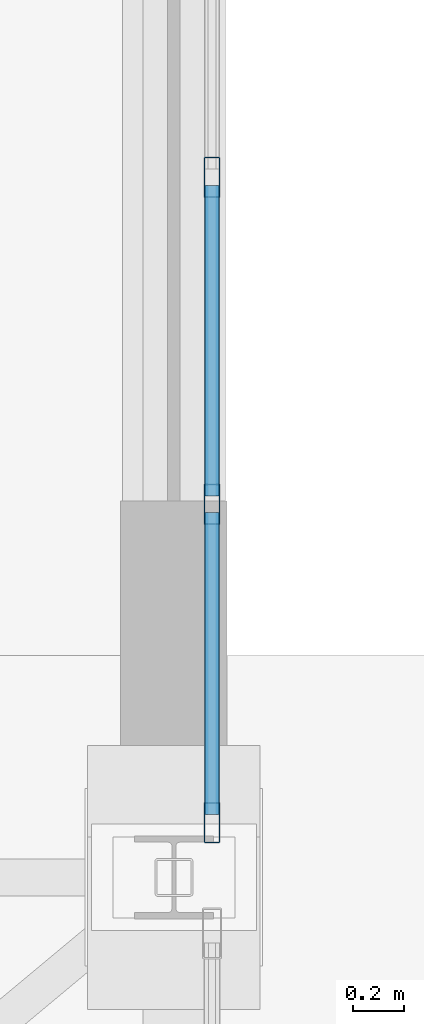
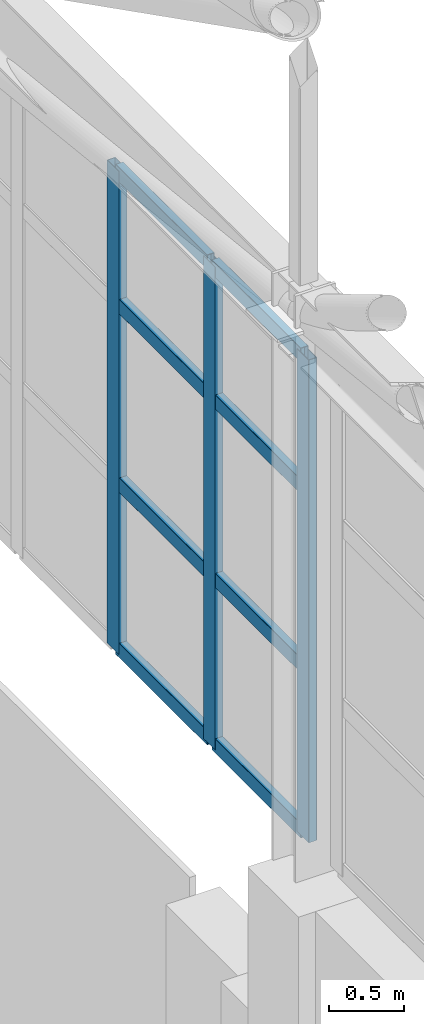
# One storey, part 226 of 293: 11 members, 1 element without a shape of its own.
"""IFC4 building model written with IfcOpenShell, lengths in metres."""

from ifc_helpers import new_model, si_unit, direction, frame, origin, origin_2d, place, context, subcontext, project, spatial, hollow_rectangle, extrude, material, layer, layer_set, material_profile, profile_set, type_object, element, aggregate, save


model = new_model("IFC4")

# Units and contexts
model_context = context("Model", 3, precision=1e-05, world=origin(), true_north=direction((0.0, 1.0)))
body_context = subcontext(model_context, "Body", "Model", "MODEL_VIEW")
ifc_project = project(units=[si_unit("LENGTHUNIT", "METRE"), si_unit("AREAUNIT", "SQUARE_METRE"), si_unit("VOLUMEUNIT", "CUBIC_METRE"), si_unit("PLANEANGLEUNIT", "RADIAN"), si_unit("MASSUNIT", "GRAM", prefix="KILO")], contexts=[model_context])

# Site, building, storey
site_placement = place(None, origin())
site = spatial("IfcSite", under=ifc_project, at=site_placement, CompositionType="ELEMENT")
building_placement = place(site_placement, origin())
building = spatial("IfcBuilding", under=site, at=building_placement, Name="Kemerveld Promenade Tramway Depot", CompositionType="ELEMENT")
storey_placement = place(building_placement, origin())
storey = spatial("IfcBuildingStorey", under=building, at=storey_placement, Name="L00", CompositionType="ELEMENT", Elevation=0.0)

# Curtain wall, members
ifc_material_1 = material(Name="Bronze anodised aluminium and solar glass", Category="aluminium")
ifc_layer = layer(ifc_material_1, 0.159912109375)
ifc_layer_set = layer_set([ifc_layer], Name="CW-SYS-01")
curtain_wall_type = type_object("IfcCurtainWallType", Name="CW-SYS-01", PredefinedType="USERDEFINED", material=ifc_layer_set)
curtain_wall_placement = place(storey_placement, origin())
curtain_wall = element("IfcCurtainWall", 1, at=curtain_wall_placement, inside=storey, type_object=curtain_wall_type, Name="CW-V1-E-05", ObjectType="GLAZED_CURTAIN_WALL", PredefinedType="USERDEFINED")
ifc_material_2 = material(Name="Bronze anodised aluminium", Category="aluminium")
ifc_material_profile_1 = material_profile(ifc_material_2, hollow_rectangle(XDim=0.06494140625, YDim=0.159912109375, WallThickness=0.00390625, InnerFilletRadius=0.001953125, OuterFilletRadius=0.00390625, at=origin_2d()), Name="CW-MUL-160x65")
ifc_profile_set_1 = profile_set([ifc_material_profile_1], Name="Bronze anodised aluminium")
member_type_1 = type_object("IfcMemberType", Name="CW-MUL-A", PredefinedType="MULLION", material=ifc_profile_set_1)
member_1_placement = place(storey_placement, frame((187.35009765625, 134.759765625, 6.64990234375), z_axis=(0.0, 0.0, 1.0), x_axis=(1.0, 0.0, 0.0)))
member_1 = element("IfcMember", 2, at=member_1_placement, type_object=member_type_1, Name="CW01 mullion 8", PredefinedType="MULLION", context=body_context, shape_type="SweptSolid", body=[
    extrude(hollow_rectangle(XDim=0.06494140625, YDim=0.159912109375, WallThickness=0.00390625, InnerFilletRadius=0.001953125, OuterFilletRadius=0.00390625, at=origin_2d()), origin(), (0.0, 0.0, 1.0), 3.9501953125),
])
member_2_placement = place(storey_placement, frame((187.35009765625, 133.4716796875, 6.64990234375), z_axis=(0.0, 0.0, 1.0), x_axis=(1.0, 0.0, 0.0)))
member_2 = element("IfcMember", 3, at=member_2_placement, type_object=member_type_1, Name="CW01 mullion 9", PredefinedType="MULLION", context=body_context, shape_type="SweptSolid", body=[
    extrude(hollow_rectangle(XDim=0.06494140625, YDim=0.159912109375, WallThickness=0.00390625, InnerFilletRadius=0.001953125, OuterFilletRadius=0.00390625, at=origin_2d()), origin(), (0.0, 0.0, 1.0), 3.9501953125),
])
member_3_placement = place(storey_placement, frame((187.35009765625, 132.216064453125, 6.64990234375), z_axis=(0.0, 0.0, 1.0), x_axis=(1.0, 0.0, 0.0)))
member_3 = element("IfcMember", 4, at=member_3_placement, type_object=member_type_1, Name="CW01 mullion 10", PredefinedType="MULLION", context=body_context, shape_type="SweptSolid", body=[
    extrude(hollow_rectangle(XDim=0.06494140625, YDim=0.159912109375, WallThickness=0.00390625, InnerFilletRadius=0.001953125, OuterFilletRadius=0.00390625, at=origin_2d()), origin(), (0.0, 0.0, 1.0), 3.9501953125),
])
ifc_material_profile_2 = material_profile(ifc_material_2, hollow_rectangle(XDim=0.06005859375, YDim=0.1201171875, WallThickness=0.00390625, InnerFilletRadius=0.001953125, OuterFilletRadius=0.00390625, at=origin_2d()), Name="CW-TRN-120x60")
ifc_profile_set_2 = profile_set([ifc_material_profile_2], Name="Bronze anodised aluminium")
member_type_2 = type_object("IfcMemberType", Name="CW-TRN-A", PredefinedType="USERDEFINED", material=ifc_profile_set_2)
member_4_placement = place(storey_placement, frame((187.35009765625, 134.727294921875, 6.679931640625), z_axis=(0.0, -1.0, 0.0), x_axis=(1.0, 0.0, 0.0)))
member_4 = element("IfcMember", 5, at=member_4_placement, type_object=member_type_2, Name="CW01 transom 8.1", ObjectType="TRANSOM", PredefinedType="USERDEFINED", context=body_context, shape_type="SweptSolid", body=[
    extrude(hollow_rectangle(XDim=0.06005859375, YDim=0.1201171875, WallThickness=0.00390625, InnerFilletRadius=0.001953125, OuterFilletRadius=0.00390625, at=origin_2d()), origin(), (0.0, 0.0, 1.0), 1.22314453125),
])
member_5_placement = place(storey_placement, frame((187.35009765625, 134.727294921875, 8.032958984375), z_axis=(0.0, -1.0, 0.0), x_axis=(1.0, 0.0, 0.0)))
member_5 = element("IfcMember", 6, at=member_5_placement, type_object=member_type_2, Name="CW01 transom 8.2", ObjectType="TRANSOM", PredefinedType="USERDEFINED", context=body_context, shape_type="SweptSolid", body=[
    extrude(hollow_rectangle(XDim=0.06005859375, YDim=0.1201171875, WallThickness=0.00390625, InnerFilletRadius=0.001953125, OuterFilletRadius=0.00390625, at=origin_2d()), origin(), (0.0, 0.0, 1.0), 1.22314453125),
])
member_6_placement = place(storey_placement, frame((187.35009765625, 134.727294921875, 9.493896484375), z_axis=(0.0, -1.0, 0.0), x_axis=(1.0, 0.0, 0.0)))
member_6 = element("IfcMember", 7, at=member_6_placement, type_object=member_type_2, Name="CW01 transom 8.3", ObjectType="TRANSOM", PredefinedType="USERDEFINED", context=body_context, shape_type="SweptSolid", body=[
    extrude(hollow_rectangle(XDim=0.06005859375, YDim=0.1201171875, WallThickness=0.00390625, InnerFilletRadius=0.001953125, OuterFilletRadius=0.00390625, at=origin_2d()), origin(), (0.0, 0.0, 1.0), 1.22314453125),
])
member_7_placement = place(storey_placement, frame((187.35009765625, 134.727294921875, 10.570068359375), z_axis=(0.0, -1.0, 0.0), x_axis=(1.0, 0.0, 0.0)))
member_7 = element("IfcMember", 8, at=member_7_placement, type_object=member_type_2, Name="CW01 transom 8.4", ObjectType="TRANSOM", PredefinedType="USERDEFINED", context=body_context, shape_type="SweptSolid", body=[
    extrude(hollow_rectangle(XDim=0.06005859375, YDim=0.1201171875, WallThickness=0.00390625, InnerFilletRadius=0.001953125, OuterFilletRadius=0.00390625, at=origin_2d()), origin(), (0.0, 0.0, 1.0), 1.22314453125),
])
member_8_placement = place(storey_placement, frame((187.35009765625, 133.439208984375, 6.679931640625), z_axis=(0.0, -1.0, 0.0), x_axis=(1.0, 0.0, 0.0)))
member_8 = element("IfcMember", 9, at=member_8_placement, type_object=member_type_2, Name="CW01 transom 9.1", ObjectType="TRANSOM", PredefinedType="USERDEFINED", context=body_context, shape_type="SweptSolid", body=[
    extrude(hollow_rectangle(XDim=0.06005859375, YDim=0.1201171875, WallThickness=0.00390625, InnerFilletRadius=0.001953125, OuterFilletRadius=0.00390625, at=origin_2d()), origin(), (0.0, 0.0, 1.0), 1.190673828125),
])
member_9_placement = place(storey_placement, frame((187.35009765625, 133.439208984375, 8.032958984375), z_axis=(0.0, -1.0, 0.0), x_axis=(1.0, 0.0, 0.0)))
member_9 = element("IfcMember", 10, at=member_9_placement, type_object=member_type_2, Name="CW01 transom 9.2", ObjectType="TRANSOM", PredefinedType="USERDEFINED", context=body_context, shape_type="SweptSolid", body=[
    extrude(hollow_rectangle(XDim=0.06005859375, YDim=0.1201171875, WallThickness=0.00390625, InnerFilletRadius=0.001953125, OuterFilletRadius=0.00390625, at=origin_2d()), origin(), (0.0, 0.0, 1.0), 1.190673828125),
])
member_10_placement = place(storey_placement, frame((187.35009765625, 133.439208984375, 9.493896484375), z_axis=(0.0, -1.0, 0.0), x_axis=(1.0, 0.0, 0.0)))
member_10 = element("IfcMember", 11, at=member_10_placement, type_object=member_type_2, Name="CW01 transom 9.3", ObjectType="TRANSOM", PredefinedType="USERDEFINED", context=body_context, shape_type="SweptSolid", body=[
    extrude(hollow_rectangle(XDim=0.06005859375, YDim=0.1201171875, WallThickness=0.00390625, InnerFilletRadius=0.001953125, OuterFilletRadius=0.00390625, at=origin_2d()), origin(), (0.0, 0.0, 1.0), 1.190673828125),
])
member_11_placement = place(storey_placement, frame((187.35009765625, 133.439208984375, 10.570068359375), z_axis=(0.0, -1.0, 0.0), x_axis=(1.0, 0.0, 0.0)))
member_11 = element("IfcMember", 12, at=member_11_placement, type_object=member_type_2, Name="CW01 transom 9.4", ObjectType="TRANSOM", PredefinedType="USERDEFINED", context=body_context, shape_type="SweptSolid", body=[
    extrude(hollow_rectangle(XDim=0.06005859375, YDim=0.1201171875, WallThickness=0.00390625, InnerFilletRadius=0.001953125, OuterFilletRadius=0.00390625, at=origin_2d()), origin(), (0.0, 0.0, 1.0), 1.190673828125),
])
aggregate(curtain_wall, [member_1, member_2, member_3, member_4, member_5, member_6, member_7, member_8, member_9, member_10, member_11])

save(model, "model.ifc")
